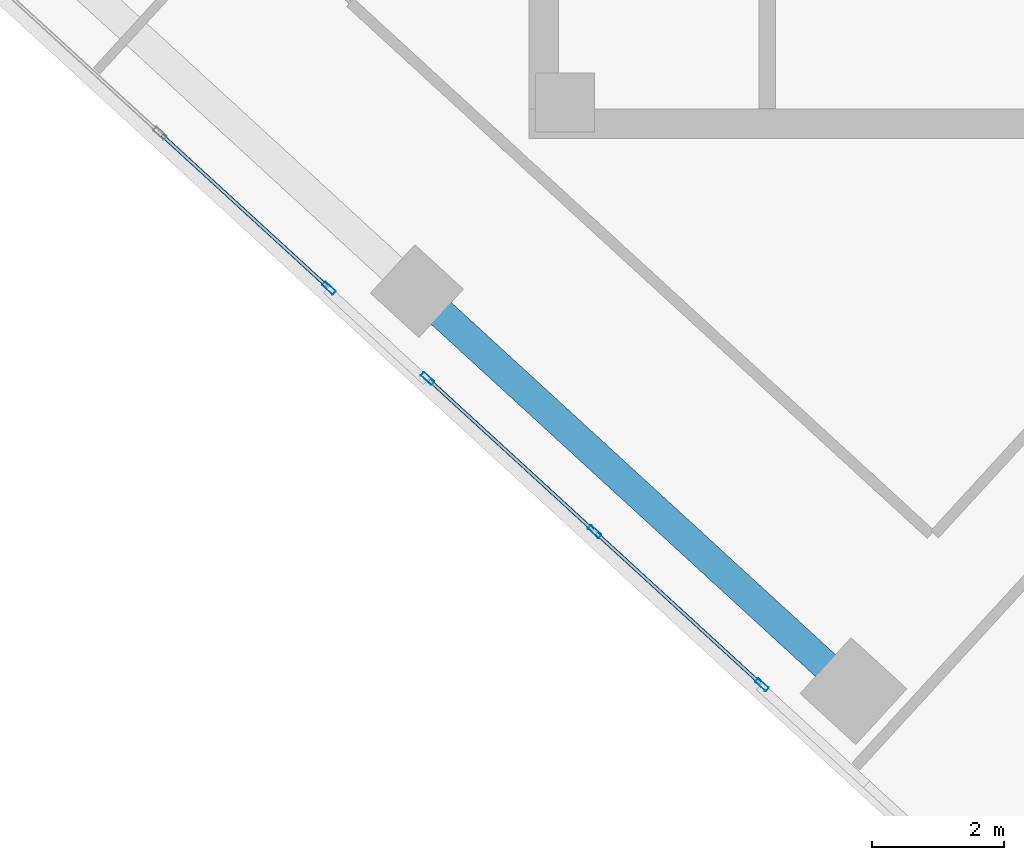
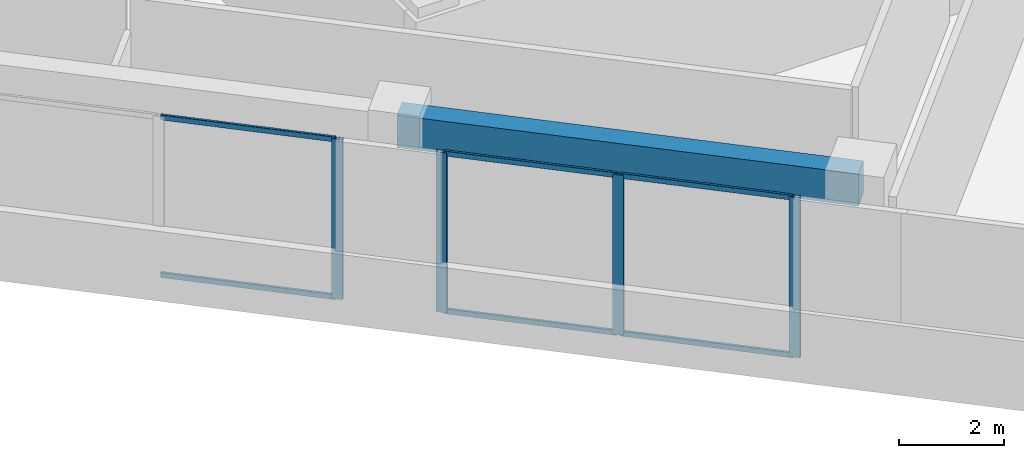
# One storey, part 2 of 18: 10 members, 1 beam, 2 elements without a shape of their own.
"""IFC4 building model written with IfcOpenShell, lengths in metres."""

from ifc_helpers import new_model, si_unit, direction, frame, origin, origin_2d, place, context, subcontext, project, spatial, rectangle, hollow_rectangle, extrude, source, transform, mapped, material, material_profile, profile_set, type_object, element, aggregate, save


model = new_model("IFC4")

# Units and contexts
model_context = context("Model", 3, precision=1e-05, world=origin(), true_north=direction((0.0, 1.0)))
body_context = subcontext(model_context, "Body", "Model", "MODEL_VIEW")
ifc_project = project(units=[si_unit("LENGTHUNIT", "METRE"), si_unit("AREAUNIT", "SQUARE_METRE"), si_unit("VOLUMEUNIT", "CUBIC_METRE"), si_unit("PLANEANGLEUNIT", "RADIAN"), si_unit("MASSUNIT", "GRAM", prefix="KILO")], contexts=[model_context])

# Site, building, storey
site_placement = place(None, origin())
site = spatial("IfcSite", under=ifc_project, at=site_placement, CompositionType="ELEMENT")
building_placement = place(site_placement, origin())
building = spatial("IfcBuilding", under=site, at=building_placement, Name="Torre Montelarca", CompositionType="ELEMENT")
storey_placement = place(building_placement, frame((0.0, 0.0, 233.199951171875)))
storey = spatial("IfcBuildingStorey", under=building, at=storey_placement, Name="L52", CompositionType="ELEMENT", Elevation=233.199951171875)

# Beam
ifc_material_1 = material(Name="Concrete C55/67", Category="concrete")
ifc_material_profile_1 = material_profile(ifc_material_1, rectangle(XDim=0.449951171875, YDim=0.75, at=origin_2d()), Name="RCB450X750", Category="concrete")
ifc_profile_set_1 = profile_set([ifc_material_profile_1], Name="Concrete C55/67")
beam_type = type_object("IfcBeamType", Name="BM-SP-RC750-EXT", PredefinedType="SPANDREL", material=ifc_profile_set_1)
shared_shape_1 = source(origin(), body_context, "Body", "SweptSolid", [
    extrude(rectangle(XDim=0.449951171875, YDim=0.75, at=origin_2d()), origin(), (0.0, 0.0, 1.0), 9.0),
])
beam_placement = place(storey_placement, frame((7.29931640625, 21.683349609375, 3.5849609375), z_axis=(0.73727686361, -0.675590724023, 0.0), x_axis=(0.675590724023, 0.73727686361, 0.0)))
element("IfcBeam", 1, at=beam_placement, inside=storey, type_object=beam_type, Name="L52 Grid Girder X 18.0-27.0 at Y=14.8", PredefinedType="SPANDREL", context=body_context, shape_type="MappedRepresentation", body=[
    mapped(shared_shape_1, transform((0.0, 0.0, 0.0), scale=1.0)),
])

# Curtain wall, members
ifc_material_2 = material(Name="Insulated low-E laminated glass", Category="glass")
curtain_wall_type = type_object("IfcCurtainWallType", Name="CW-SYS-Z3", PredefinedType="USERDEFINED", material=ifc_material_2)
curtain_wall_1_placement = place(storey_placement, origin())
curtain_wall_1 = element("IfcCurtainWall", 2, at=curtain_wall_1_placement, inside=storey, type_object=curtain_wall_type, Name="L52 Curtain Wall Run CW-T3-L52-E01-B1", ObjectType="UNITISED GLAZING", PredefinedType="USERDEFINED")
ifc_material_3 = material(Name="Anodised aluminium AA 6063-T6", Category="aluminium")
ifc_material_profile_2 = material_profile(ifc_material_3, hollow_rectangle(XDim=0.054931640625, YDim=0.1201171875, WallThickness=0.00341796875, InnerFilletRadius=0.00341796875, OuterFilletRadius=0.007080078125, at=origin_2d()), Name="ALU55X120X3.5", Category="aluminium")
ifc_profile_set_2 = profile_set([ifc_material_profile_2], Name="Anodised aluminium AA 6063-T6")
member_type_1 = type_object("IfcMemberType", Name="CWT-ALU120", PredefinedType="USERDEFINED", material=ifc_profile_set_2)
shared_shape_2 = source(origin(), body_context, "Body", "SweptSolid", [
    extrude(hollow_rectangle(XDim=0.054931640625, YDim=0.1201171875, WallThickness=0.00341796875, InnerFilletRadius=0.00341796875, OuterFilletRadius=0.007080078125, at=origin_2d()), origin(), (0.0, 0.0, 1.0), 3.407470703125),
])
member_1_placement = place(storey_placement, frame((3.42138671875, 24.056640625, 0.027587890625), z_axis=(0.737311741935, -0.675552659091, 0.0), x_axis=(0.675552659091, 0.737311741935, 0.0)))
member_1 = element("IfcMember", 3, at=member_1_placement, type_object=member_type_1, Name="CW transom 2.1", ObjectType="TRANSOM", PredefinedType="USERDEFINED", context=body_context, shape_type="MappedRepresentation", body=[
    mapped(shared_shape_2, transform((0.0, 0.0, 0.0), scale=1.0)),
])
member_2_placement = place(storey_placement, frame((3.42138671875, 24.056640625, 3.692626953125), z_axis=(0.737311741935, -0.675552659091, 0.0), x_axis=(0.675552659091, 0.737311741935, 0.0)))
member_2 = element("IfcMember", 4, at=member_2_placement, type_object=member_type_1, Name="CW transom 2.2", ObjectType="TRANSOM", PredefinedType="USERDEFINED", context=body_context, shape_type="MappedRepresentation", body=[
    mapped(shared_shape_2, transform((0.0, 0.0, 0.0), scale=1.0)),
])
ifc_material_profile_3 = material_profile(ifc_material_3, hollow_rectangle(XDim=0.074951171875, YDim=0.219970703125, WallThickness=0.0048828125, InnerFilletRadius=0.0048828125, OuterFilletRadius=0.010009765625, at=origin_2d()), Name="ALU75X220X5", Category="aluminium")
ifc_profile_set_3 = profile_set([ifc_material_profile_3], Name="Anodised aluminium AA 6063-T6")
member_type_2 = type_object("IfcMemberType", Name="CWM-ALU220", PredefinedType="MULLION", material=ifc_profile_set_3)
shared_shape_3 = source(origin(), body_context, "Body", "SweptSolid", [
    extrude(hollow_rectangle(XDim=0.074951171875, YDim=0.219970703125, WallThickness=0.0048828125, InnerFilletRadius=0.0048828125, OuterFilletRadius=0.010009765625, at=origin_2d()), origin(), (0.0, 0.0, 1.0), 3.719970703125),
])
member_3_placement = place(storey_placement, frame((5.96142578125, 21.729248046875, 0.0), z_axis=(0.0, 0.0, 1.0), x_axis=(0.675581176874, 0.737285611859, 0.0)))
member_3 = element("IfcMember", 5, at=member_3_placement, type_object=member_type_2, Name="CW mullion 3", PredefinedType="MULLION", context=body_context, shape_type="MappedRepresentation", body=[
    mapped(shared_shape_3, transform((0.0, 0.0, 0.0), scale=1.0)),
])
aggregate(curtain_wall_1, [member_3, member_1, member_2])

curtain_wall_2_placement = place(storey_placement, origin())
curtain_wall_2 = element("IfcCurtainWall", 6, at=curtain_wall_2_placement, inside=storey, type_object=curtain_wall_type, Name="L52 Curtain Wall Run CW-T3-L52-E01-B2", ObjectType="UNITISED GLAZING", PredefinedType="USERDEFINED")
member_4_placement = place(storey_placement, frame((7.461669921875, 20.3544921875, 0.0), z_axis=(0.0, 0.0, 1.0), x_axis=(0.675578981271, 0.737287623703, 0.0)))
member_4 = element("IfcMember", 7, at=member_4_placement, type_object=member_type_2, Name="CW mullion 1", PredefinedType="MULLION", context=body_context, shape_type="MappedRepresentation", body=[
    mapped(shared_shape_3, transform((0.0, 0.0, 0.0), scale=1.0)),
])
member_5_placement = place(storey_placement, frame((10.001708984375, 18.027099609375, 0.0), z_axis=(0.0, 0.0, 1.0), x_axis=(0.675578981271, 0.737287623703, 0.0)))
member_5 = element("IfcMember", 8, at=member_5_placement, type_object=member_type_2, Name="CW mullion 2", PredefinedType="MULLION", context=body_context, shape_type="MappedRepresentation", body=[
    mapped(shared_shape_3, transform((0.0, 0.0, 0.0), scale=1.0)),
])
member_6_placement = place(storey_placement, frame((12.541748046875, 15.69970703125, 0.0), z_axis=(0.0, 0.0, 1.0), x_axis=(0.675578981271, 0.737287623703, 0.0)))
member_6 = element("IfcMember", 9, at=member_6_placement, type_object=member_type_2, Name="CW mullion 3", PredefinedType="MULLION", context=body_context, shape_type="MappedRepresentation", body=[
    mapped(shared_shape_3, transform((0.0, 0.0, 0.0), scale=1.0)),
])
shared_shape_4 = source(origin(), body_context, "Body", "SweptSolid", [
    extrude(hollow_rectangle(XDim=0.054931640625, YDim=0.1201171875, WallThickness=0.00341796875, InnerFilletRadius=0.00341796875, OuterFilletRadius=0.007080078125, at=origin_2d()), origin(), (0.0, 0.0, 1.0), 3.369873046875),
])
member_7_placement = place(storey_placement, frame((7.489501953125, 20.3291015625, 0.027587890625), z_axis=(0.737295464521, -0.675570424158, 0.0), x_axis=(0.675570424158, 0.737295464521, 0.0)))
member_7 = element("IfcMember", 10, at=member_7_placement, type_object=member_type_1, Name="CW transom 1.1", ObjectType="TRANSOM", PredefinedType="USERDEFINED", context=body_context, shape_type="MappedRepresentation", body=[
    mapped(shared_shape_4, transform((0.0, 0.0, 0.0), scale=1.0)),
])
member_8_placement = place(storey_placement, frame((7.489501953125, 20.3291015625, 3.692626953125), z_axis=(0.737295464521, -0.675570424158, 0.0), x_axis=(0.675570424158, 0.737295464521, 0.0)))
member_8 = element("IfcMember", 11, at=member_8_placement, type_object=member_type_1, Name="CW transom 1.2", ObjectType="TRANSOM", PredefinedType="USERDEFINED", context=body_context, shape_type="MappedRepresentation", body=[
    mapped(shared_shape_4, transform((0.0, 0.0, 0.0), scale=1.0)),
])
member_9_placement = place(storey_placement, frame((10.029296875, 18.001708984375, 0.027587890625), z_axis=(0.737295464521, -0.675570424158, 0.0), x_axis=(0.675570424158, 0.737295464521, 0.0)))
member_9 = element("IfcMember", 12, at=member_9_placement, type_object=member_type_1, Name="CW transom 2.1", ObjectType="TRANSOM", PredefinedType="USERDEFINED", context=body_context, shape_type="MappedRepresentation", body=[
    mapped(shared_shape_4, transform((0.0, 0.0, 0.0), scale=1.0)),
])
member_10_placement = place(storey_placement, frame((10.029296875, 18.001708984375, 3.692626953125), z_axis=(0.737295464521, -0.675570424158, 0.0), x_axis=(0.675570424158, 0.737295464521, 0.0)))
member_10 = element("IfcMember", 13, at=member_10_placement, type_object=member_type_1, Name="CW transom 2.2", ObjectType="TRANSOM", PredefinedType="USERDEFINED", context=body_context, shape_type="MappedRepresentation", body=[
    mapped(shared_shape_4, transform((0.0, 0.0, 0.0), scale=1.0)),
])
aggregate(curtain_wall_2, [member_4, member_5, member_6, member_7, member_8, member_9, member_10])

save(model, "model.ifc")
